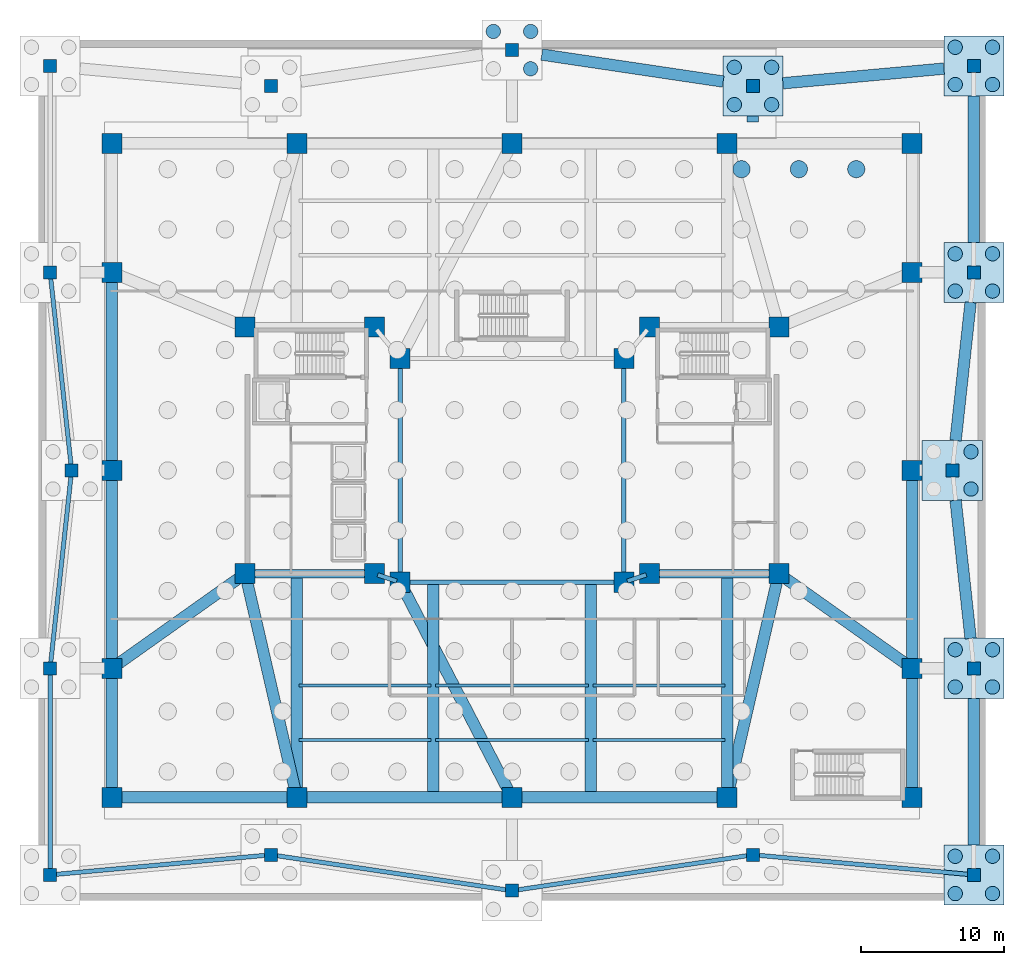
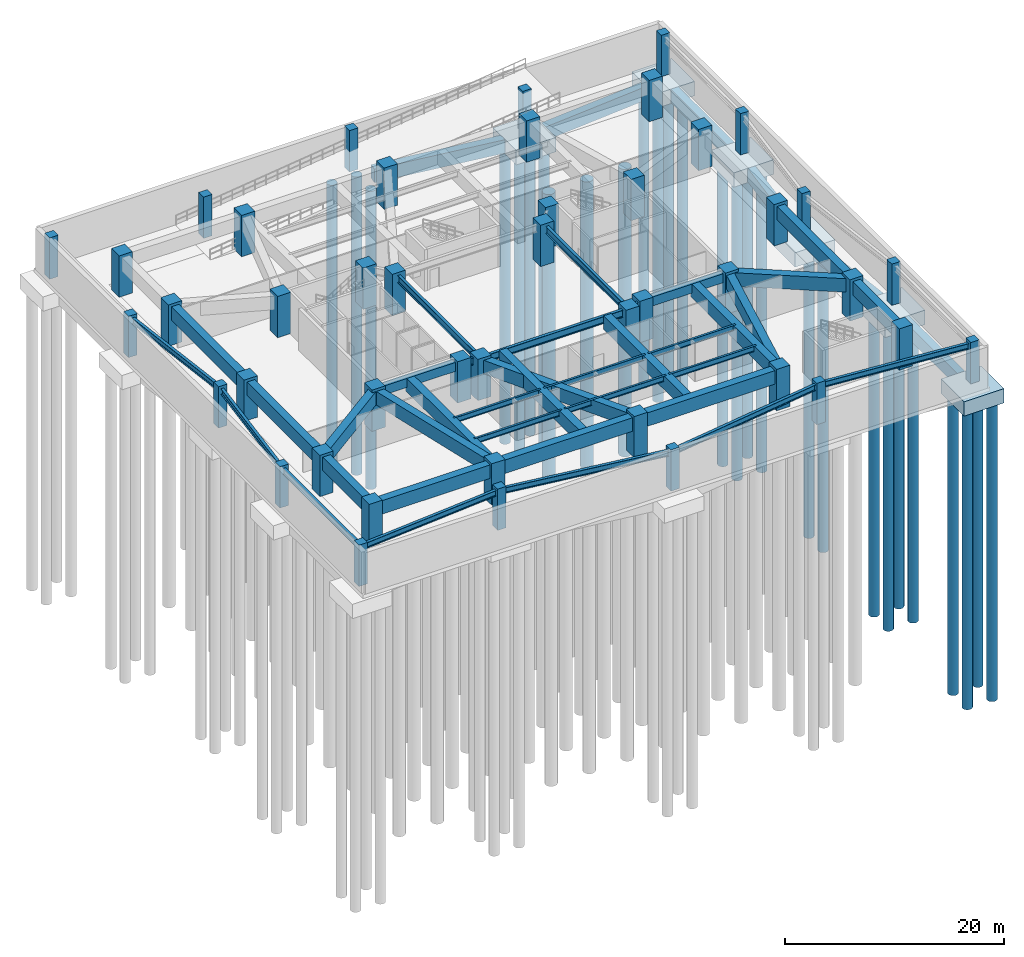
# One storey, part 2 of 9: 44 columns, 37 beams, 28 piles, 13 footings.
"""IFC4 building model written with IfcOpenShell, lengths in metres."""

from ifc_helpers import new_model, si_unit, direction, frame, origin, origin_2d, place, context, subcontext, project, spatial, rectangle, circle, i_section, extrude, material, material_profile, profile_set, type_object, element, save


model = new_model("IFC4")

# Units and contexts
model_context = context("Model", 3, precision=1e-05, world=origin(), true_north=direction((0.0, 1.0)))
body_context = subcontext(model_context, "Body", "Model", "MODEL_VIEW")
ifc_project = project(units=[si_unit("LENGTHUNIT", "METRE"), si_unit("AREAUNIT", "SQUARE_METRE"), si_unit("VOLUMEUNIT", "CUBIC_METRE"), si_unit("PLANEANGLEUNIT", "RADIAN"), si_unit("MASSUNIT", "GRAM", prefix="KILO")], contexts=[model_context])

# Site, building, storey
site_placement = place(None, origin())
site = spatial("IfcSite", under=ifc_project, at=site_placement, CompositionType="ELEMENT")
building_placement = place(site_placement, origin())
building = spatial("IfcBuilding", under=site, at=building_placement, Name="Tarnavaz Court Tower", CompositionType="ELEMENT")
storey_placement = place(building_placement, frame((0.0, 0.0, -9.199951171875)))
storey = spatial("IfcBuildingStorey", under=building, at=storey_placement, Name="B02", CompositionType="ELEMENT", Elevation=-9.199951171875)

# Footings
ifc_material_1 = material(Name="Concrete C50/60", Category="concrete")
ifc_material_profile_1 = material_profile(ifc_material_1, rectangle(XDim=0.800048828125, YDim=1.5, at=origin_2d()), Name="RC 800X1500")
ifc_profile_set_1 = profile_set([ifc_material_profile_1], Name="Concrete C50/60")
footing_type_1 = type_object("IfcFootingType", Name="FT-GB800", PredefinedType="FOOTING_BEAM", material=ifc_profile_set_1)
footing_1_placement = place(storey_placement, frame((32.199951171875, -26.10009765625, -1.150146484375), z_axis=(0.0, 1.0, 0.0), x_axis=(-1.0, 0.0, 0.0)))
element("IfcFooting", 1, at=footing_1_placement, inside=storey, type_object=footing_type_1, Name="Foundation Tie Beam SE1-E1", PredefinedType="FOOTING_BEAM", context=body_context, shape_type="SweptSolid", body=[
    extrude(rectangle(XDim=0.800048828125, YDim=1.5, at=origin_2d()), origin(), (0.0, 0.0, 1.0), 10.2001953125),
])
for number, where, z_axis, x_axis, name in (
    (2, (31.972900390625, -11.7119140625, -1.150146484375), (-0.108039674332, 0.994146583141, 0.0), (-0.994146583141, -0.108039674332, 0.0), "Foundation Tie Beam E1-E2"),
    (3, (30.927001953125, 2.087890625, -1.150146484375), (0.108039674332, 0.994146583141, 0.0), (-0.994146583141, 0.108039674332, 0.0), "Foundation Tie Beam E2-E3"),
):
    element("IfcFooting", number, at=place(storey_placement, frame(where, z_axis=z_axis, x_axis=x_axis)), inside=storey, type_object=footing_type_1, Name=name, PredefinedType="FOOTING_BEAM", context=body_context, shape_type="SweptSolid", body=[
        extrude(rectangle(XDim=0.800048828125, YDim=1.5, at=origin_2d()), origin(), (0.0, 0.0, 1.0), 9.6806640625),
    ])
footing_2_placement = place(storey_placement, frame((32.199951171875, 15.89990234375, -1.150146484375), z_axis=(0.0, 1.0, 0.0), x_axis=(-1.0, 0.0, 0.0)))
element("IfcFooting", 4, at=footing_2_placement, inside=storey, type_object=footing_type_1, Name="Foundation Tie Beam E3-NE1", PredefinedType="FOOTING_BEAM", context=body_context, shape_type="SweptSolid", body=[
    extrude(rectangle(XDim=0.800048828125, YDim=1.5, at=origin_2d()), origin(), (0.0, 0.0, 1.0), 10.2001953125),
])
footing_3_placement = place(storey_placement, frame((2.076904296875, 28.990966796875, -1.150146484375), z_axis=(0.989105741317, -0.147206767825, 0.0), x_axis=(0.147206767825, 0.989105741317, 0.0)))
element("IfcFooting", 5, at=footing_3_placement, inside=storey, type_object=footing_type_1, Name="Foundation Tie Beam N2-N3", PredefinedType="FOOTING_BEAM", context=body_context, shape_type="SweptSolid", body=[
    extrude(rectangle(XDim=0.800048828125, YDim=1.5, at=origin_2d()), origin(), (0.0, 0.0, 1.0), 12.785400390625),
])
footing_4_placement = place(storey_placement, frame((18.89111328125, 26.989990234375, -1.150146484375), z_axis=(0.995891429693, 0.09055528844, 0.0), x_axis=(-0.09055528844, 0.995891429693, 0.0)))
element("IfcFooting", 6, at=footing_4_placement, inside=storey, type_object=footing_type_1, Name="Foundation Tie Beam N3-NE1", PredefinedType="FOOTING_BEAM", context=body_context, shape_type="SweptSolid", body=[
    extrude(rectangle(XDim=0.800048828125, YDim=1.5, at=origin_2d()), origin(), (0.0, 0.0, 1.0), 11.26416015625),
])
footing_5_placement = place(storey_placement, frame((16.800048828125, 24.300048828125, -1.150146484375), z_axis=(0.0, 1.0, 0.0), x_axis=(-1.0, 0.0, 0.0)))
element("IfcFooting", 7, at=footing_5_placement, inside=storey, type_object=footing_type_1, Name="Radial Foundation Tie Beam N3", PredefinedType="FOOTING_BEAM", context=body_context, shape_type="SweptSolid", body=[
    extrude(rectangle(XDim=0.800048828125, YDim=1.5, at=origin_2d()), origin(), (0.0, 0.0, 1.0), 0.39990234375),
])
footing_type_2 = type_object("IfcFootingType", Name="FT-PC4", PredefinedType="PILE_CAP", material=ifc_material_1)
for number, where, z_axis, x_axis, name in (
    (8, (32.199951171875, -28.199951171875, -2.0), (0.0, 0.0, 1.0), (1.0, 0.0, 0.0), "Perimeter Four-Pile Cap SE1"),
    (9, (32.199951171875, -13.800048828125, -2.0), (0.0, 0.0, 1.0), (1.0, 0.0, 0.0), "Perimeter Four-Pile Cap E1"),
    (10, (30.699951171875, 0.0, -2.0), (0.0, 0.0, 1.0), (1.0, 0.0, 0.0), "Perimeter Four-Pile Cap E2"),
    (11, (32.199951171875, 13.800048828125, -2.0), (0.0, 0.0, 1.0), (1.0, 0.0, 0.0), "Perimeter Four-Pile Cap E3"),
    (12, (32.199951171875, 28.199951171875, -2.0), (0.0, 0.0, 1.0), (1.0, 0.0, 0.0), "Perimeter Four-Pile Cap NE1"),
    (13, (16.800048828125, 26.800048828125, -2.0), (0.0, 0.0, 1.0), (1.0, 0.0, 0.0), "Perimeter Four-Pile Cap N3"),
):
    element("IfcFooting", number, at=place(storey_placement, frame(where, z_axis=z_axis, x_axis=x_axis)), inside=storey, type_object=footing_type_2, Name=name, PredefinedType="PILE_CAP", context=body_context, shape_type="SweptSolid", body=[
        extrude(rectangle(XDim=4.199951171875, YDim=4.199951171875, at=origin_2d()), origin(), (0.0, 0.0, 1.0), 1.60009765625),
    ])

# Piles
ifc_material_profile_2 = material_profile(ifc_material_1, circle(Radius=0.5, at=origin_2d()), Name="PILE D1000")
ifc_profile_set_2 = profile_set([ifc_material_profile_2], Name="Concrete C50/60")
pile_type_1 = type_object("IfcPileType", Name="PL-1000", PredefinedType="BORED", material=ifc_profile_set_2)
for number, where, z_axis, x_axis, name in (
    (14, (30.89990234375, -29.5, -1.900146484375), (0.0, 0.0, -1.0), (1.0, 0.0, 0.0), "Cap SE1 Bored Pile 1"),
    (15, (30.89990234375, -26.89990234375, -1.900146484375), (0.0, 0.0, -1.0), (1.0, 0.0, 0.0), "Cap SE1 Bored Pile 2"),
    (16, (33.5, -29.5, -1.900146484375), (0.0, 0.0, -1.0), (1.0, 0.0, 0.0), "Cap SE1 Bored Pile 3"),
    (17, (33.5, -26.89990234375, -1.900146484375), (0.0, 0.0, -1.0), (1.0, 0.0, 0.0), "Cap SE1 Bored Pile 4"),
    (18, (30.89990234375, -15.10009765625, -1.900146484375), (0.0, 0.0, -1.0), (1.0, 0.0, 0.0), "Cap E1 Bored Pile 1"),
    (19, (30.89990234375, -12.5, -1.900146484375), (0.0, 0.0, -1.0), (1.0, 0.0, 0.0), "Cap E1 Bored Pile 2"),
    (20, (33.5, -15.10009765625, -1.900146484375), (0.0, 0.0, -1.0), (1.0, 0.0, 0.0), "Cap E1 Bored Pile 3"),
    (21, (33.5, -12.5, -1.900146484375), (0.0, 0.0, -1.0), (1.0, 0.0, 0.0), "Cap E1 Bored Pile 4"),
    (22, (32.0, -1.300048828125, -1.900146484375), (0.0, 0.0, -1.0), (1.0, 0.0, 0.0), "Cap E2 Bored Pile 3"),
    (23, (32.0, 1.300048828125, -1.900146484375), (0.0, 0.0, -1.0), (1.0, 0.0, 0.0), "Cap E2 Bored Pile 4"),
    (24, (30.89990234375, 12.5, -1.900146484375), (0.0, 0.0, -1.0), (1.0, 0.0, 0.0), "Cap E3 Bored Pile 1"),
    (25, (30.89990234375, 15.10009765625, -1.900146484375), (0.0, 0.0, -1.0), (1.0, 0.0, 0.0), "Cap E3 Bored Pile 2"),
    (26, (33.5, 12.5, -1.900146484375), (0.0, 0.0, -1.0), (1.0, 0.0, 0.0), "Cap E3 Bored Pile 3"),
    (27, (33.5, 15.10009765625, -1.900146484375), (0.0, 0.0, -1.0), (1.0, 0.0, 0.0), "Cap E3 Bored Pile 4"),
    (28, (30.89990234375, 26.89990234375, -1.900146484375), (0.0, 0.0, -1.0), (1.0, 0.0, 0.0), "Cap NE1 Bored Pile 1"),
    (29, (30.89990234375, 29.5, -1.900146484375), (0.0, 0.0, -1.0), (1.0, 0.0, 0.0), "Cap NE1 Bored Pile 2"),
    (30, (33.5, 26.89990234375, -1.900146484375), (0.0, 0.0, -1.0), (1.0, 0.0, 0.0), "Cap NE1 Bored Pile 3"),
    (31, (33.5, 29.5, -1.900146484375), (0.0, 0.0, -1.0), (1.0, 0.0, 0.0), "Cap NE1 Bored Pile 4"),
    (32, (-1.300048828125, 30.60009765625, -1.900146484375), (0.0, 0.0, -1.0), (1.0, 0.0, 0.0), "Cap N2 Bored Pile 2"),
    (33, (1.300048828125, 28.0, -1.900146484375), (0.0, 0.0, -1.0), (1.0, 0.0, 0.0), "Cap N2 Bored Pile 3"),
    (34, (1.300048828125, 30.60009765625, -1.900146484375), (0.0, 0.0, -1.0), (1.0, 0.0, 0.0), "Cap N2 Bored Pile 4"),
    (35, (15.5, 25.5, -1.900146484375), (0.0, 0.0, -1.0), (1.0, 0.0, 0.0), "Cap N3 Bored Pile 1"),
    (36, (15.5, 28.10009765625, -1.900146484375), (0.0, 0.0, -1.0), (1.0, 0.0, 0.0), "Cap N3 Bored Pile 2"),
    (37, (18.10009765625, 25.5, -1.900146484375), (0.0, 0.0, -1.0), (1.0, 0.0, 0.0), "Cap N3 Bored Pile 3"),
    (38, (18.10009765625, 28.10009765625, -1.900146484375), (0.0, 0.0, -1.0), (1.0, 0.0, 0.0), "Cap N3 Bored Pile 4"),
):
    element("IfcPile", number, at=place(storey_placement, frame(where, z_axis=z_axis, x_axis=x_axis)), inside=storey, type_object=pile_type_1, Name=name, PredefinedType="BORED", context=body_context, shape_type="SweptSolid", body=[
        extrude(circle(Radius=0.5, at=origin_2d()), origin(), (0.0, 0.0, 1.0), 33.199951171875),
    ])
ifc_material_profile_3 = material_profile(ifc_material_1, circle(Radius=0.60009765625, at=origin_2d()), Name="PILE D1200")
ifc_profile_set_3 = profile_set([ifc_material_profile_3], Name="Concrete C50/60")
pile_type_2 = type_object("IfcPileType", Name="PL-1200", PredefinedType="BORED", material=ifc_profile_set_3)
for number, where, z_axis, x_axis, name in (
    (39, (16.0, 21.0, -3.10009765625), (0.0, 0.0, -1.0), (1.0, 0.0, 0.0), "Tower Raft Bored Pile 121"),
    (40, (20.0, 21.0, -3.10009765625), (0.0, 0.0, -1.0), (1.0, 0.0, 0.0), "Tower Raft Bored Pile 132"),
    (41, (24.0, 21.0, -3.10009765625), (0.0, 0.0, -1.0), (1.0, 0.0, 0.0), "Tower Raft Bored Pile 143"),
):
    element("IfcPile", number, at=place(storey_placement, frame(where, z_axis=z_axis, x_axis=x_axis)), inside=storey, type_object=pile_type_2, Name=name, PredefinedType="BORED", context=body_context, shape_type="SweptSolid", body=[
        extrude(circle(Radius=0.60009765625, at=origin_2d()), origin(), (0.0, 0.0, 1.0), 32.0),
    ])

# Columns
ifc_material_2 = material(Name="Concrete C60/75", Category="concrete")
ifc_material_profile_4 = material_profile(ifc_material_2, rectangle(XDim=1.39990234375, YDim=1.39990234375, at=origin_2d()), Name="RC 1400X1400")
ifc_profile_set_4 = profile_set([ifc_material_profile_4], Name="Concrete C60/75")
column_type_1 = type_object("IfcColumnType", Name="CL-RC1400", PredefinedType="COLUMN", material=ifc_profile_set_4)
for number, where, z_axis, x_axis, name in (
    (42, (-7.800048828125, -7.800048828125, 0.0), (0.0, 0.0, 1.0), (1.0, 0.0, 0.0), "B02 Column IW-SW"),
    (43, (7.800048828125, -7.800048828125, 0.0), (0.0, 0.0, 1.0), (1.0, 0.0, 0.0), "B02 Column IW-SE"),
    (44, (-7.800048828125, 7.800048828125, 0.0), (0.0, 0.0, 1.0), (1.0, 0.0, 0.0), "B02 Column IW-NW"),
    (45, (7.800048828125, 7.800048828125, 0.0), (0.0, 0.0, 1.0), (1.0, 0.0, 0.0), "B02 Column IW-NE"),
    (46, (-9.60009765625, -7.199951171875, 0.0), (0.0, 0.0, 1.0), (1.0, 0.0, 0.0), "B02 Column CW-SI"),
    (47, (-9.60009765625, 10.0, 0.0), (0.0, 0.0, 1.0), (1.0, 0.0, 0.0), "B02 Column CW-NI"),
    (48, (9.60009765625, -7.199951171875, 0.0), (0.0, 0.0, 1.0), (1.0, 0.0, 0.0), "B02 Column CE-SI"),
    (49, (9.60009765625, 10.0, 0.0), (0.0, 0.0, 1.0), (1.0, 0.0, 0.0), "B02 Column CE-NI"),
    (50, (-18.60009765625, -7.199951171875, 0.0), (0.0, 0.0, 1.0), (1.0, 0.0, 0.0), "B02 Column CW-SO"),
    (51, (-18.60009765625, 10.0, 0.0), (0.0, 0.0, 1.0), (1.0, 0.0, 0.0), "B02 Column CW-NO"),
    (52, (18.60009765625, -7.199951171875, 0.0), (0.0, 0.0, 1.0), (1.0, 0.0, 0.0), "B02 Column CE-SO"),
    (53, (18.60009765625, 10.0, 0.0), (0.0, 0.0, 1.0), (1.0, 0.0, 0.0), "B02 Column CE-NO"),
    (54, (-27.89990234375, 22.800048828125, 0.0), (0.0, 0.0, 1.0), (1.0, 0.0, 0.0), "B02 Column PM-NW"),
    (55, (-15.0, 22.800048828125, 0.0), (0.0, 0.0, 1.0), (1.0, 0.0, 0.0), "B02 Column PM-N1"),
    (56, (0.0, 22.800048828125, 0.0), (0.0, 0.0, 1.0), (1.0, 0.0, 0.0), "B02 Column PM-N2"),
    (57, (15.0, 22.800048828125, 0.0), (0.0, 0.0, 1.0), (1.0, 0.0, 0.0), "B02 Column PM-N3"),
    (58, (27.89990234375, 22.800048828125, 0.0), (0.0, 0.0, 1.0), (1.0, 0.0, 0.0), "B02 Column PM-NE"),
    (59, (-27.89990234375, -22.800048828125, 0.0), (0.0, 0.0, 1.0), (1.0, 0.0, 0.0), "B02 Column PM-SW"),
    (60, (-15.0, -22.800048828125, 0.0), (0.0, 0.0, 1.0), (1.0, 0.0, 0.0), "B02 Column PM-S1"),
    (61, (0.0, -22.800048828125, 0.0), (0.0, 0.0, 1.0), (1.0, 0.0, 0.0), "B02 Column PM-S2"),
    (62, (15.0, -22.800048828125, 0.0), (0.0, 0.0, 1.0), (1.0, 0.0, 0.0), "B02 Column PM-S3"),
    (63, (27.89990234375, -22.800048828125, 0.0), (0.0, 0.0, 1.0), (1.0, 0.0, 0.0), "B02 Column PM-SE"),
    (64, (-27.89990234375, -13.800048828125, 0.0), (0.0, 0.0, 1.0), (1.0, 0.0, 0.0), "B02 Column PM-W1"),
    (65, (-27.89990234375, 0.0, 0.0), (0.0, 0.0, 1.0), (1.0, 0.0, 0.0), "B02 Column PM-W2"),
    (66, (-27.89990234375, 13.800048828125, 0.0), (0.0, 0.0, 1.0), (1.0, 0.0, 0.0), "B02 Column PM-W3"),
    (67, (27.89990234375, -13.800048828125, 0.0), (0.0, 0.0, 1.0), (1.0, 0.0, 0.0), "B02 Column PM-E1"),
    (68, (27.89990234375, 0.0, 0.0), (0.0, 0.0, 1.0), (1.0, 0.0, 0.0), "B02 Column PM-E2"),
    (69, (27.89990234375, 13.800048828125, 0.0), (0.0, 0.0, 1.0), (1.0, 0.0, 0.0), "B02 Column PM-E3"),
):
    element("IfcColumn", number, at=place(storey_placement, frame(where, z_axis=z_axis, x_axis=x_axis)), inside=storey, type_object=column_type_1, Name=name, PredefinedType="COLUMN", context=body_context, shape_type="SweptSolid", body=[
        extrude(rectangle(XDim=1.39990234375, YDim=1.39990234375, at=origin_2d()), origin(), (0.0, 0.0, 1.0), 4.599853515625),
    ])
ifc_material_profile_5 = material_profile(ifc_material_1, rectangle(XDim=0.89990234375, YDim=0.89990234375, at=origin_2d()), Name="RC 900X900")
ifc_profile_set_5 = profile_set([ifc_material_profile_5], Name="Concrete C50/60")
column_type_2 = type_object("IfcColumnType", Name="CL-RC900", PredefinedType="COLUMN", material=ifc_profile_set_5)
for number, where, z_axis, x_axis, name in (
    (70, (-32.199951171875, -28.199951171875, 0.0), (0.0, 0.0, 1.0), (1.0, 0.0, 0.0), "B02 Column POD-SW1"),
    (71, (-32.199951171875, -13.800048828125, 0.0), (0.0, 0.0, 1.0), (1.0, 0.0, 0.0), "B02 Column POD-W1"),
    (72, (-30.699951171875, 0.0, 0.0), (0.0, 0.0, 1.0), (1.0, 0.0, 0.0), "B02 Column POD-W2"),
    (73, (-32.199951171875, 13.800048828125, 0.0), (0.0, 0.0, 1.0), (1.0, 0.0, 0.0), "B02 Column POD-W3"),
    (74, (-32.199951171875, 28.199951171875, 0.0), (0.0, 0.0, 1.0), (1.0, 0.0, 0.0), "B02 Column POD-NW1"),
    (75, (32.199951171875, -28.199951171875, 0.0), (0.0, 0.0, 1.0), (1.0, 0.0, 0.0), "B02 Column POD-SE1"),
    (76, (32.199951171875, -13.800048828125, 0.0), (0.0, 0.0, 1.0), (1.0, 0.0, 0.0), "B02 Column POD-E1"),
    (77, (30.699951171875, 0.0, 0.0), (0.0, 0.0, 1.0), (1.0, 0.0, 0.0), "B02 Column POD-E2"),
    (78, (32.199951171875, 13.800048828125, 0.0), (0.0, 0.0, 1.0), (1.0, 0.0, 0.0), "B02 Column POD-E3"),
    (79, (32.199951171875, 28.199951171875, 0.0), (0.0, 0.0, 1.0), (1.0, 0.0, 0.0), "B02 Column POD-NE1"),
    (80, (-16.800048828125, -26.800048828125, 0.0), (0.0, 0.0, 1.0), (1.0, 0.0, 0.0), "B02 Column POD-S1"),
    (81, (0.0, -29.300048828125, 0.0), (0.0, 0.0, 1.0), (1.0, 0.0, 0.0), "B02 Column POD-S2"),
    (82, (16.800048828125, -26.800048828125, 0.0), (0.0, 0.0, 1.0), (1.0, 0.0, 0.0), "B02 Column POD-S3"),
    (83, (-16.800048828125, 26.800048828125, 0.0), (0.0, 0.0, 1.0), (1.0, 0.0, 0.0), "B02 Column POD-N1"),
    (84, (0.0, 29.300048828125, 0.0), (0.0, 0.0, 1.0), (1.0, 0.0, 0.0), "B02 Column POD-N2"),
    (85, (16.800048828125, 26.800048828125, 0.0), (0.0, 0.0, 1.0), (1.0, 0.0, 0.0), "B02 Column POD-N3"),
):
    element("IfcColumn", number, at=place(storey_placement, frame(where, z_axis=z_axis, x_axis=x_axis)), inside=storey, type_object=column_type_2, Name=name, PredefinedType="COLUMN", context=body_context, shape_type="SweptSolid", body=[
        extrude(rectangle(XDim=0.89990234375, YDim=0.89990234375, at=origin_2d()), origin(), (0.0, 0.0, 1.0), 4.599853515625),
    ])

# Beams
ifc_material_profile_6 = material_profile(ifc_material_2, rectangle(XDim=0.60009765625, YDim=1.0, at=origin_2d()), Name="RC 600X1000")
ifc_profile_set_6 = profile_set([ifc_material_profile_6], Name="Concrete C60/75")
beam_type_1 = type_object("IfcBeamType", Name="BM-CB1000", PredefinedType="LINTEL", material=ifc_profile_set_6)
for number, where, z_axis, x_axis, name in (
    (86, (-18.35009765625, -7.199951171875, 3.800048828125), (1.0, 0.0, 0.0), (0.0, 1.0, 0.0), "B02 Beam CW-SO-CW-SI"),
    (87, (18.35009765625, -7.199951171875, 3.800048828125), (-1.0, 0.0, 0.0), (0.0, -1.0, 0.0), "B02 Beam CE-SO-CE-SI"),
):
    element("IfcBeam", number, at=place(storey_placement, frame(where, z_axis=z_axis, x_axis=x_axis)), inside=storey, type_object=beam_type_1, Name=name, PredefinedType="LINTEL", context=body_context, shape_type="SweptSolid", body=[
        extrude(rectangle(XDim=0.60009765625, YDim=1.0, at=origin_2d()), origin(), (0.0, 0.0, 1.0), 8.5),
    ])
ifc_material_3 = material(Name="Steel S355", Category="steel")
ifc_material_profile_7 = material_profile(ifc_material_3, i_section(OverallWidth=0.300048828125, OverallDepth=0.800048828125, WebThickness=0.017578125, FlangeThickness=0.032958984375, FilletRadius=0.030029296875, at=origin_2d()), Name="HEB 800")
ifc_profile_set_7 = profile_set([ifc_material_profile_7], Name="Steel S355")
beam_type_2 = type_object("IfcBeamType", Name="BM-G-HEB800", PredefinedType="USERDEFINED", material=ifc_profile_set_7)
for number, where, z_axis, x_axis, name in (
    (88, (-7.550048828125, -7.800048828125, 3.89990234375), (1.0, 0.0, 0.0), (0.0, 1.0, 0.0), "B02 Beam IW-SW-IW-SE"),
    (89, (-7.800048828125, -7.550048828125, 3.89990234375), (0.0, 1.0, 0.0), (-1.0, 0.0, 0.0), "B02 Beam IW-SW-IW-NW"),
    (90, (7.800048828125, -7.550048828125, 3.89990234375), (0.0, 1.0, 0.0), (-1.0, 0.0, 0.0), "B02 Beam IW-SE-IW-NE"),
):
    element("IfcBeam", number, at=place(storey_placement, frame(where, z_axis=z_axis, x_axis=x_axis)), inside=storey, type_object=beam_type_2, Name=name, ObjectType="GIRDER", PredefinedType="USERDEFINED", context=body_context, shape_type="SweptSolid", body=[
        extrude(i_section(OverallWidth=0.300048828125, OverallDepth=0.800048828125, WebThickness=0.017578125, FlangeThickness=0.032958984375, FilletRadius=0.030029296875, at=origin_2d()), origin(), (0.0, 0.0, 1.0), 15.10009765625),
    ])
for number, where, z_axis, x_axis, name in (
    (91, (-9.36279296875, -7.279052734375, 3.89990234375), (0.948683298051, -0.316227766017, 0.0), (0.316227766017, 0.948683298051, 0.0), "B02 Beam CW-SI-IW-SW"),
    (92, (9.36279296875, -7.279052734375, 3.89990234375), (-0.948683298051, -0.316227766017, 0.0), (0.316227766017, -0.948683298051, 0.0), "B02 Beam CE-SI-IW-SE"),
):
    element("IfcBeam", number, at=place(storey_placement, frame(where, z_axis=z_axis, x_axis=x_axis)), inside=storey, type_object=beam_type_2, Name=name, ObjectType="GIRDER", PredefinedType="USERDEFINED", context=body_context, shape_type="SweptSolid", body=[
        extrude(i_section(OverallWidth=0.300048828125, OverallDepth=0.800048828125, WebThickness=0.017578125, FlangeThickness=0.032958984375, FilletRadius=0.030029296875, at=origin_2d()), origin(), (0.0, 0.0, 1.0), 1.3974609375),
    ])
ifc_material_profile_8 = material_profile(ifc_material_3, i_section(OverallWidth=0.219970703125, OverallDepth=0.60009765625, WebThickness=0.011962890625, FlangeThickness=0.01904296875, FilletRadius=0.02392578125, at=origin_2d()), Name="IPE 600")
ifc_profile_set_8 = profile_set([ifc_material_profile_8], Name="Steel S355")
beam_type_3 = type_object("IfcBeamType", Name="BM-J-IPE600", PredefinedType="JOIST", material=ifc_profile_set_8)
beam_1_placement = place(storey_placement, frame((-14.85009765625, -15.0, 4.0), z_axis=(1.0, 0.0, 0.0), x_axis=(0.0, 1.0, 0.0)))
element("IfcBeam", 93, at=beam_1_placement, inside=storey, type_object=beam_type_3, Name="B02 Beam PJS-1-1", PredefinedType="JOIST", context=body_context, shape_type="SweptSolid", body=[
    extrude(i_section(OverallWidth=0.219970703125, OverallDepth=0.60009765625, WebThickness=0.011962890625, FlangeThickness=0.01904296875, FilletRadius=0.02392578125, at=origin_2d()), origin(), (0.0, 0.0, 1.0), 9.2001953125),
])
beam_2_placement = place(storey_placement, frame((-5.35009765625, -15.0, 4.0), z_axis=(1.0, 0.0, 0.0), x_axis=(0.0, 1.0, 0.0)))
element("IfcBeam", 94, at=beam_2_placement, inside=storey, type_object=beam_type_3, Name="B02 Beam PJS-1-2", PredefinedType="JOIST", context=body_context, shape_type="SweptSolid", body=[
    extrude(i_section(OverallWidth=0.219970703125, OverallDepth=0.60009765625, WebThickness=0.011962890625, FlangeThickness=0.01904296875, FilletRadius=0.02392578125, at=origin_2d()), origin(), (0.0, 0.0, 1.0), 10.7001953125),
])
for number, where, z_axis, x_axis, name in (
    (95, (5.64990234375, -15.0, 4.0), (1.0, 0.0, 0.0), (0.0, 1.0, 0.0), "B02 Beam PJS-1-3"),
    (96, (-14.85009765625, -18.800048828125, 4.0), (1.0, 0.0, 0.0), (0.0, 1.0, 0.0), "B02 Beam PJS-2-1"),
):
    element("IfcBeam", number, at=place(storey_placement, frame(where, z_axis=z_axis, x_axis=x_axis)), inside=storey, type_object=beam_type_3, Name=name, PredefinedType="JOIST", context=body_context, shape_type="SweptSolid", body=[
        extrude(i_section(OverallWidth=0.219970703125, OverallDepth=0.60009765625, WebThickness=0.011962890625, FlangeThickness=0.01904296875, FilletRadius=0.02392578125, at=origin_2d()), origin(), (0.0, 0.0, 1.0), 9.2001953125),
    ])
beam_3_placement = place(storey_placement, frame((-5.35009765625, -18.800048828125, 4.0), z_axis=(1.0, 0.0, 0.0), x_axis=(0.0, 1.0, 0.0)))
element("IfcBeam", 97, at=beam_3_placement, inside=storey, type_object=beam_type_3, Name="B02 Beam PJS-2-2", PredefinedType="JOIST", context=body_context, shape_type="SweptSolid", body=[
    extrude(i_section(OverallWidth=0.219970703125, OverallDepth=0.60009765625, WebThickness=0.011962890625, FlangeThickness=0.01904296875, FilletRadius=0.02392578125, at=origin_2d()), origin(), (0.0, 0.0, 1.0), 10.7001953125),
])
beam_4_placement = place(storey_placement, frame((5.64990234375, -18.800048828125, 4.0), z_axis=(1.0, 0.0, 0.0), x_axis=(0.0, 1.0, 0.0)))
element("IfcBeam", 98, at=beam_4_placement, inside=storey, type_object=beam_type_3, Name="B02 Beam PJS-2-3", PredefinedType="JOIST", context=body_context, shape_type="SweptSolid", body=[
    extrude(i_section(OverallWidth=0.219970703125, OverallDepth=0.60009765625, WebThickness=0.011962890625, FlangeThickness=0.01904296875, FilletRadius=0.02392578125, at=origin_2d()), origin(), (0.0, 0.0, 1.0), 9.2001953125),
])
ifc_material_profile_9 = material_profile(ifc_material_3, i_section(OverallWidth=0.300048828125, OverallDepth=0.639892578125, WebThickness=0.013427734375, FlangeThickness=0.02587890625, FilletRadius=0.027099609375, at=origin_2d()), Name="HEA 650")
ifc_profile_set_9 = profile_set([ifc_material_profile_9], Name="Steel S355")
beam_type_4 = type_object("IfcBeamType", Name="BM-SP-HEA650", PredefinedType="SPANDREL", material=ifc_profile_set_9)
beam_5_placement = place(storey_placement, frame((-32.199951171875, -28.0, 3.97998046875), z_axis=(0.0, 1.0, 0.0), x_axis=(-1.0, 0.0, 0.0)))
element("IfcBeam", 99, at=beam_5_placement, inside=storey, type_object=beam_type_4, Name="B02 Beam PR-POD-SW1-POD-W1", PredefinedType="SPANDREL", context=body_context, shape_type="SweptSolid", body=[
    extrude(i_section(OverallWidth=0.300048828125, OverallDepth=0.639892578125, WebThickness=0.013427734375, FlangeThickness=0.02587890625, FilletRadius=0.027099609375, at=origin_2d()), origin(), (0.0, 0.0, 1.0), 14.0),
])
for number, where, z_axis, x_axis, name in (
    (100, (-32.178466796875, -13.601318359375, 3.97998046875), (0.10805801352, 0.994144589944, 0.0), (-0.994144589944, 0.10805801352, 0.0), "B02 Beam PR-POD-W1-POD-W2"),
    (101, (-30.7216796875, 0.19873046875, 3.97998046875), (-0.10805801352, 0.994144589944, 0.0), (-0.994144589944, -0.10805801352, 0.0), "B02 Beam PR-POD-W2-POD-W3"),
):
    element("IfcBeam", number, at=place(storey_placement, frame(where, z_axis=z_axis, x_axis=x_axis)), inside=storey, type_object=beam_type_4, Name=name, PredefinedType="SPANDREL", context=body_context, shape_type="SweptSolid", body=[
        extrude(i_section(OverallWidth=0.300048828125, OverallDepth=0.639892578125, WebThickness=0.013427734375, FlangeThickness=0.02587890625, FilletRadius=0.027099609375, at=origin_2d()), origin(), (0.0, 0.0, 1.0), 13.4814453125),
    ])
beam_6_placement = place(storey_placement, frame((-32.000732421875, -28.181884765625, 3.97998046875), z_axis=(0.995893206468, 0.090535746043, 0.0), x_axis=(-0.090535746043, 0.995893206468, 0.0)))
element("IfcBeam", 102, at=beam_6_placement, inside=storey, type_object=beam_type_4, Name="B02 Beam PR-POD-SW1-POD-S1", PredefinedType="SPANDREL", context=body_context, shape_type="SweptSolid", body=[
    extrude(i_section(OverallWidth=0.300048828125, OverallDepth=0.639892578125, WebThickness=0.013427734375, FlangeThickness=0.02587890625, FilletRadius=0.027099609375, at=origin_2d()), origin(), (0.0, 0.0, 1.0), 15.063232421875),
])
for number, where, z_axis, x_axis, name in (
    (103, (-16.602294921875, -26.829345703125, 3.97998046875), (0.989108332922, -0.147189353368, 0.0), (0.147189353368, 0.989108332922, 0.0), "B02 Beam PR-POD-S1-POD-S2"),
    (104, (0.19775390625, -29.2705078125, 3.97998046875), (0.989108332922, 0.147189353368, 0.0), (-0.147189353368, 0.989108332922, 0.0), "B02 Beam PR-POD-S2-POD-S3"),
):
    element("IfcBeam", number, at=place(storey_placement, frame(where, z_axis=z_axis, x_axis=x_axis)), inside=storey, type_object=beam_type_4, Name=name, PredefinedType="SPANDREL", context=body_context, shape_type="SweptSolid", body=[
        extrude(i_section(OverallWidth=0.300048828125, OverallDepth=0.639892578125, WebThickness=0.013427734375, FlangeThickness=0.02587890625, FilletRadius=0.027099609375, at=origin_2d()), origin(), (0.0, 0.0, 1.0), 16.585205078125),
    ])
beam_7_placement = place(storey_placement, frame((16.999267578125, -26.818115234375, 3.97998046875), z_axis=(0.995893206468, -0.090535746043, 0.0), x_axis=(0.090535746043, 0.995893206468, 0.0)))
element("IfcBeam", 105, at=beam_7_placement, inside=storey, type_object=beam_type_4, Name="B02 Beam PR-POD-S3-POD-SE1", PredefinedType="SPANDREL", context=body_context, shape_type="SweptSolid", body=[
    extrude(i_section(OverallWidth=0.300048828125, OverallDepth=0.639892578125, WebThickness=0.013427734375, FlangeThickness=0.02587890625, FilletRadius=0.027099609375, at=origin_2d()), origin(), (0.0, 0.0, 1.0), 15.063232421875),
])
ifc_material_profile_10 = material_profile(ifc_material_1, rectangle(XDim=0.800048828125, YDim=1.5, at=origin_2d()), Name="RC 800X1500")
ifc_profile_set_10 = profile_set([ifc_material_profile_10], Name="Concrete C50/60")
beam_type_5 = type_object("IfcBeamType", Name="BM-TG1500", PredefinedType="USERDEFINED", material=ifc_profile_set_10)
beam_8_placement = place(storey_placement, frame((-27.64990234375, -22.800048828125, 3.550048828125), z_axis=(1.0, 0.0, 0.0), x_axis=(0.0, 1.0, 0.0)))
element("IfcBeam", 106, at=beam_8_placement, inside=storey, type_object=beam_type_5, Name="B02 Beam PM-PM-SW-PM-S1", ObjectType="GIRDER", PredefinedType="USERDEFINED", context=body_context, shape_type="SweptSolid", body=[
    extrude(rectangle(XDim=0.800048828125, YDim=1.5, at=origin_2d()), origin(), (0.0, 0.0, 1.0), 12.39990234375),
])
for number, where, z_axis, x_axis, name in (
    (107, (-14.75, -22.800048828125, 3.550048828125), (1.0, 0.0, 0.0), (0.0, 1.0, 0.0), "B02 Beam PM-PM-S1-PM-S2"),
    (108, (0.25, -22.800048828125, 3.550048828125), (1.0, 0.0, 0.0), (0.0, 1.0, 0.0), "B02 Beam PM-PM-S2-PM-S3"),
):
    element("IfcBeam", number, at=place(storey_placement, frame(where, z_axis=z_axis, x_axis=x_axis)), inside=storey, type_object=beam_type_5, Name=name, ObjectType="GIRDER", PredefinedType="USERDEFINED", context=body_context, shape_type="SweptSolid", body=[
        extrude(rectangle(XDim=0.800048828125, YDim=1.5, at=origin_2d()), origin(), (0.0, 0.0, 1.0), 14.5),
    ])
beam_9_placement = place(storey_placement, frame((-27.89990234375, -22.550048828125, 3.550048828125), z_axis=(0.0, 1.0, 0.0), x_axis=(-1.0, 0.0, 0.0)))
element("IfcBeam", 109, at=beam_9_placement, inside=storey, type_object=beam_type_5, Name="B02 Beam PM-PM-SW-PM-W1", ObjectType="GIRDER", PredefinedType="USERDEFINED", context=body_context, shape_type="SweptSolid", body=[
    extrude(rectangle(XDim=0.800048828125, YDim=1.5, at=origin_2d()), origin(), (0.0, 0.0, 1.0), 8.5),
])
for number, where, z_axis, x_axis, name in (
    (110, (-27.89990234375, -13.550048828125, 3.550048828125), (0.0, 1.0, 0.0), (-1.0, 0.0, 0.0), "B02 Beam PM-PM-W1-PM-W2"),
    (111, (-27.89990234375, 0.25, 3.550048828125), (0.0, 1.0, 0.0), (-1.0, 0.0, 0.0), "B02 Beam PM-PM-W2-PM-W3"),
):
    element("IfcBeam", number, at=place(storey_placement, frame(where, z_axis=z_axis, x_axis=x_axis)), inside=storey, type_object=beam_type_5, Name=name, ObjectType="GIRDER", PredefinedType="USERDEFINED", context=body_context, shape_type="SweptSolid", body=[
        extrude(rectangle(XDim=0.800048828125, YDim=1.5, at=origin_2d()), origin(), (0.0, 0.0, 1.0), 13.300048828125),
    ])
beam_10_placement = place(storey_placement, frame((27.89990234375, -22.550048828125, 3.550048828125), z_axis=(0.0, 1.0, 0.0), x_axis=(-1.0, 0.0, 0.0)))
element("IfcBeam", 112, at=beam_10_placement, inside=storey, type_object=beam_type_5, Name="B02 Beam PM-PM-SE-PM-E1", ObjectType="GIRDER", PredefinedType="USERDEFINED", context=body_context, shape_type="SweptSolid", body=[
    extrude(rectangle(XDim=0.800048828125, YDim=1.5, at=origin_2d()), origin(), (0.0, 0.0, 1.0), 8.5),
])
beam_11_placement = place(storey_placement, frame((27.89990234375, -13.550048828125, 3.550048828125), z_axis=(0.0, 1.0, 0.0), x_axis=(-1.0, 0.0, 0.0)))
element("IfcBeam", 113, at=beam_11_placement, inside=storey, type_object=beam_type_5, Name="B02 Beam PM-PM-E1-PM-E2", ObjectType="GIRDER", PredefinedType="USERDEFINED", context=body_context, shape_type="SweptSolid", body=[
    extrude(rectangle(XDim=0.800048828125, YDim=1.5, at=origin_2d()), origin(), (0.0, 0.0, 1.0), 13.300048828125),
])
beam_12_placement = place(storey_placement, frame((-18.543701171875, -7.443603515625, 3.550048828125), z_axis=(0.224858357084, -0.97439146099, 0.0), x_axis=(0.97439146099, 0.224858357084, 0.0)))
element("IfcBeam", 114, at=beam_12_placement, inside=storey, type_object=beam_type_5, Name="B02 Beam PM-CW-SO-PM-S1", ObjectType="GIRDER", PredefinedType="USERDEFINED", context=body_context, shape_type="SweptSolid", body=[
    extrude(rectangle(XDim=0.800048828125, YDim=1.5, at=origin_2d()), origin(), (0.0, 0.0, 1.0), 15.510009765625),
])
beam_13_placement = place(storey_placement, frame((-7.684814453125, -8.021728515625, 3.550048828125), z_axis=(0.461364918236, -0.887210466699, 0.0), x_axis=(0.887210466699, 0.461364918236, 0.0)))
element("IfcBeam", 115, at=beam_13_placement, inside=storey, type_object=beam_type_5, Name="B02 Beam PM-IW-SW-PM-S2", ObjectType="GIRDER", PredefinedType="USERDEFINED", context=body_context, shape_type="SweptSolid", body=[
    extrude(rectangle(XDim=0.800048828125, YDim=1.5, at=origin_2d()), origin(), (0.0, 0.0, 1.0), 16.406982421875),
])
beam_14_placement = place(storey_placement, frame((18.543701171875, -7.443603515625, 3.550048828125), z_axis=(-0.224858357084, -0.97439146099, 0.0), x_axis=(0.97439146099, -0.224858357084, 0.0)))
element("IfcBeam", 116, at=beam_14_placement, inside=storey, type_object=beam_type_5, Name="B02 Beam PM-CE-SO-PM-S3", ObjectType="GIRDER", PredefinedType="USERDEFINED", context=body_context, shape_type="SweptSolid", body=[
    extrude(rectangle(XDim=0.800048828125, YDim=1.5, at=origin_2d()), origin(), (0.0, 0.0, 1.0), 15.510009765625),
])
for number, where, z_axis, x_axis, name in (
    (117, (-18.803955078125, -7.3447265625, 3.550048828125), (-0.815505781161, -0.578748927336, 0.0), (0.578748927336, -0.815505781161, 0.0), "B02 Beam PM-CW-SO-PM-W1"),
    (118, (18.803955078125, -7.3447265625, 3.550048828125), (0.815505781161, -0.578748927336, 0.0), (0.578748927336, 0.815505781161, 0.0), "B02 Beam PM-CE-SO-PM-E1"),
):
    element("IfcBeam", number, at=place(storey_placement, frame(where, z_axis=z_axis, x_axis=x_axis)), inside=storey, type_object=beam_type_5, Name=name, ObjectType="GIRDER", PredefinedType="USERDEFINED", context=body_context, shape_type="SweptSolid", body=[
        extrude(rectangle(XDim=0.800048828125, YDim=1.5, at=origin_2d()), origin(), (0.0, 0.0, 1.0), 10.90380859375),
    ])
beam_15_placement = place(storey_placement, frame((-15.0, -7.239990234375, 3.550048828125), z_axis=(0.0, -1.0, 0.0), x_axis=(1.0, 0.0, 0.0)))
element("IfcBeam", 119, at=beam_15_placement, inside=storey, type_object=beam_type_5, Name="B02 Beam PM-NS-SW", ObjectType="GIRDER", PredefinedType="USERDEFINED", context=body_context, shape_type="SweptSolid", body=[
    extrude(rectangle(XDim=0.800048828125, YDim=1.5, at=origin_2d()), origin(), (0.0, 0.0, 1.0), 15.52001953125),
])
for number, where, z_axis, x_axis, name in (
    (120, (-5.5, -7.840087890625, 3.550048828125), (0.0, -1.0, 0.0), (1.0, 0.0, 0.0), "B02 Beam PM-NS-SCW"),
    (121, (5.5, -7.840087890625, 3.550048828125), (0.0, -1.0, 0.0), (1.0, 0.0, 0.0), "B02 Beam PM-NS-SCE"),
):
    element("IfcBeam", number, at=place(storey_placement, frame(where, z_axis=z_axis, x_axis=x_axis)), inside=storey, type_object=beam_type_5, Name=name, ObjectType="GIRDER", PredefinedType="USERDEFINED", context=body_context, shape_type="SweptSolid", body=[
        extrude(rectangle(XDim=0.800048828125, YDim=1.5, at=origin_2d()), origin(), (0.0, 0.0, 1.0), 14.919921875),
    ])
beam_16_placement = place(storey_placement, frame((15.0, -7.239990234375, 3.550048828125), z_axis=(0.0, -1.0, 0.0), x_axis=(1.0, 0.0, 0.0)))
element("IfcBeam", 122, at=beam_16_placement, inside=storey, type_object=beam_type_5, Name="B02 Beam PM-NS-SE", ObjectType="GIRDER", PredefinedType="USERDEFINED", context=body_context, shape_type="SweptSolid", body=[
    extrude(rectangle(XDim=0.800048828125, YDim=1.5, at=origin_2d()), origin(), (0.0, 0.0, 1.0), 15.52001953125),
])

save(model, "model.ifc")
